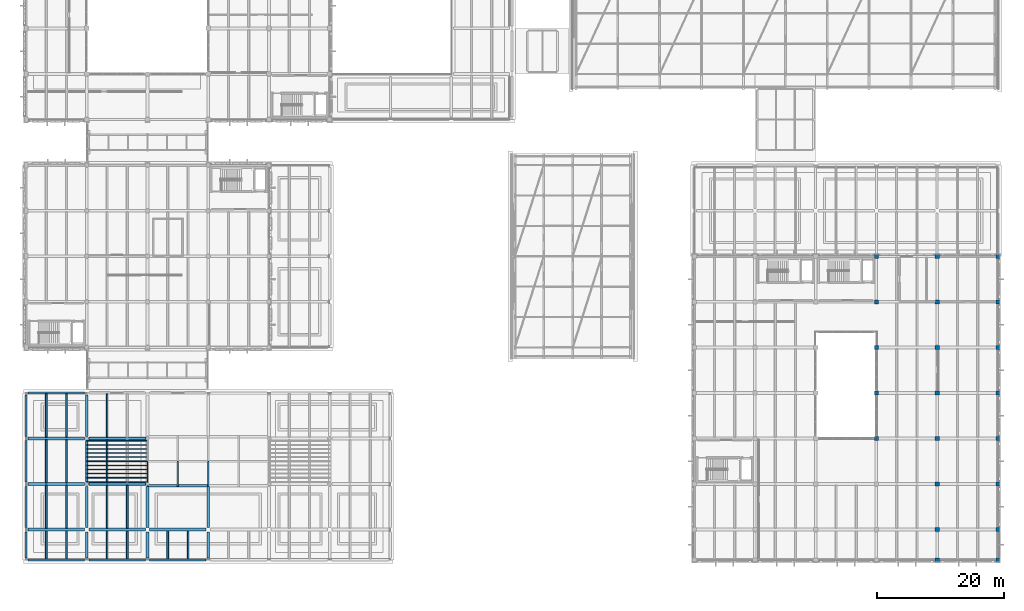
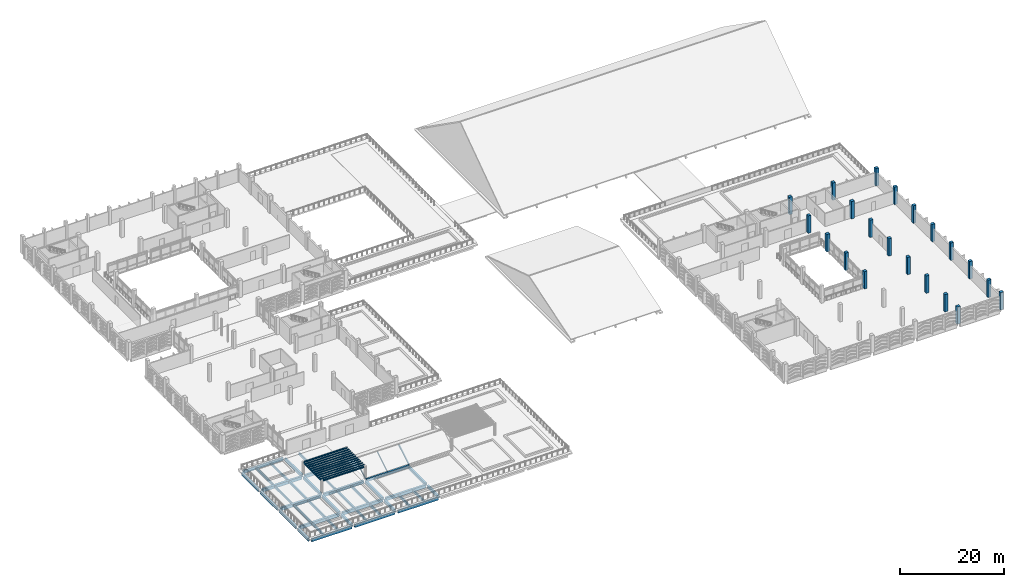
# One storey, part 5 of 134: 43 beams, 21 columns, 14 members.
"""IFC4 building model written with IfcOpenShell, lengths in metres."""

from ifc_helpers import new_model, si_unit, direction, frame, origin, origin_2d, place, context, subcontext, project, spatial, rectangle, i_section, extrude, material, material_profile, profile_set, type_object, element, save


model = new_model("IFC4")

# Units and contexts
model_context = context("Model", 3, precision=1e-05, world=origin(), true_north=direction((0.0, 1.0)))
body_context = subcontext(model_context, "Body", "Model", "MODEL_VIEW")
ifc_project = project(units=[si_unit("LENGTHUNIT", "METRE"), si_unit("AREAUNIT", "SQUARE_METRE"), si_unit("VOLUMEUNIT", "CUBIC_METRE"), si_unit("PLANEANGLEUNIT", "RADIAN"), si_unit("MASSUNIT", "GRAM", prefix="KILO")], contexts=[model_context])

# Site, building, storey
site_placement = place(None, origin())
site = spatial("IfcSite", under=ifc_project, at=site_placement, CompositionType="ELEMENT")
building_placement = place(site_placement, origin())
building = spatial("IfcBuilding", under=site, at=building_placement, Name="Asteropetra Specialist Clinic", CompositionType="ELEMENT")
storey_placement = place(building_placement, frame((0.0, 0.0, 8.5)))
storey = spatial("IfcBuildingStorey", under=building, at=storey_placement, Name="L02", CompositionType="ELEMENT", Elevation=8.5)

# Columns
ifc_material_1 = material(Name="Concrete C35/45", Category="concrete")
ifc_material_profile_1 = material_profile(ifc_material_1, rectangle(XDim=0.64990234375, YDim=0.64990234375, at=origin_2d()), Name="RC 650x650")
ifc_profile_set_1 = profile_set([ifc_material_profile_1], Name="Concrete C35/45")
column_type = type_object("IfcColumnType", Name="COL-RC650", PredefinedType="COLUMN", material=ifc_profile_set_1)
for number, where, z_axis, x_axis, name in (
    (1, (134.39990234375, 19.199951171875, 0.0), (0.0, 0.0, 1.0), (1.0, 0.0, 0.0), "Column CCOL04-0813"),
    (2, (134.39990234375, 26.39990234375, 0.0), (0.0, 0.0, 1.0), (1.0, 0.0, 0.0), "Column CCOL04-0818"),
    (3, (134.39990234375, 33.60009765625, 0.0), (0.0, 0.0, 1.0), (1.0, 0.0, 0.0), "Column CCOL04-0823"),
    (4, (134.39990234375, 40.800048828125, 0.0), (0.0, 0.0, 1.0), (1.0, 0.0, 0.0), "Column CCOL04-0828"),
    (5, (134.39990234375, 48.0, 0.0), (0.0, 0.0, 1.0), (1.0, 0.0, 0.0), "Column CCOL04-0833"),
    (6, (144.0, 0.0, 0.0), (0.0, 0.0, 1.0), (1.0, 0.0, 0.0), "Column CCOL04-0848"),
    (7, (144.0, 4.800048828125, 0.0), (0.0, 0.0, 1.0), (1.0, 0.0, 0.0), "Column CCOL04-0852"),
    (8, (144.0, 12.0, 0.0), (0.0, 0.0, 1.0), (1.0, 0.0, 0.0), "Column CCOL04-0856"),
    (9, (144.0, 19.199951171875, 0.0), (0.0, 0.0, 1.0), (1.0, 0.0, 0.0), "Column CCOL04-0860"),
    (10, (144.0, 26.39990234375, 0.0), (0.0, 0.0, 1.0), (1.0, 0.0, 0.0), "Column CCOL04-0864"),
    (11, (144.0, 33.60009765625, 0.0), (0.0, 0.0, 1.0), (1.0, 0.0, 0.0), "Column CCOL04-0868"),
    (12, (144.0, 40.800048828125, 0.0), (0.0, 0.0, 1.0), (1.0, 0.0, 0.0), "Column CCOL04-0872"),
    (13, (144.0, 48.0, 0.0), (0.0, 0.0, 1.0), (1.0, 0.0, 0.0), "Column CCOL04-0876"),
    (14, (153.60009765625, 0.0, 0.0), (0.0, 0.0, 1.0), (1.0, 0.0, 0.0), "Column CCOL04-0891"),
    (15, (153.60009765625, 4.800048828125, 0.0), (0.0, 0.0, 1.0), (1.0, 0.0, 0.0), "Column CCOL04-0895"),
    (16, (153.60009765625, 12.0, 0.0), (0.0, 0.0, 1.0), (1.0, 0.0, 0.0), "Column CCOL04-0899"),
    (17, (153.60009765625, 19.199951171875, 0.0), (0.0, 0.0, 1.0), (1.0, 0.0, 0.0), "Column CCOL04-0903"),
    (18, (153.60009765625, 26.39990234375, 0.0), (0.0, 0.0, 1.0), (1.0, 0.0, 0.0), "Column CCOL04-0907"),
    (19, (153.60009765625, 33.60009765625, 0.0), (0.0, 0.0, 1.0), (1.0, 0.0, 0.0), "Column CCOL04-0911"),
    (20, (153.60009765625, 40.800048828125, 0.0), (0.0, 0.0, 1.0), (1.0, 0.0, 0.0), "Column CCOL04-0915"),
    (21, (153.60009765625, 48.0, 0.0), (0.0, 0.0, 1.0), (1.0, 0.0, 0.0), "Column CCOL04-0919"),
):
    element("IfcColumn", number, at=place(storey_placement, frame(where, z_axis=z_axis, x_axis=x_axis)), inside=storey, type_object=column_type, Name=name, PredefinedType="COLUMN", context=body_context, shape_type="SweptSolid", body=[
        extrude(rectangle(XDim=0.64990234375, YDim=0.64990234375, at=origin_2d()), origin(), (0.0, 0.0, 1.0), 4.080078125),
    ])

# Beams
ifc_material_2 = material(Name="Concrete C35/45", Category="concrete")
ifc_material_profile_2 = material_profile(ifc_material_2, rectangle(XDim=0.39990234375, YDim=0.60009765625, at=origin_2d()), Name="RCB 400x600")
ifc_profile_set_2 = profile_set([ifc_material_profile_2], Name="Concrete C35/45")
beam_type_1 = type_object("IfcBeamType", Name="BM-RC400x600", PredefinedType="BEAM", material=ifc_profile_set_2)
beam_1_placement = place(storey_placement, frame((19.199951171875, 11.699951171875, -0.300048828125), z_axis=(1.0, 0.0, 0.0), x_axis=(0.0, 1.0, 0.0)))
element("IfcBeam", 22, at=beam_1_placement, inside=storey, type_object=beam_type_1, Name="Skylight Curb Beam SKB-1", PredefinedType="BEAM", context=body_context, shape_type="SweptSolid", body=[
    extrude(rectangle(XDim=0.39990234375, YDim=0.60009765625, at=origin_2d()), origin(), (0.0, 0.0, 1.0), 9.60009765625),
])
ifc_material_3 = material(Name="Concrete C35/45", Category="concrete")
ifc_material_profile_3 = material_profile(ifc_material_3, rectangle(XDim=0.39990234375, YDim=0.64990234375, at=origin_2d()), Name="RCB 400x650")
ifc_profile_set_3 = profile_set([ifc_material_profile_3], Name="Concrete C35/45")
beam_type_2 = type_object("IfcBeamType", Name="BM-RC400x650", PredefinedType="BEAM", material=ifc_profile_set_3)
for number, where, z_axis, x_axis, name in (
    (23, (9.60009765625, 0.35009765625, -0.635009765625), (0.0, 1.0, 0.0), (-1.0, 0.0, 0.0), "Beam BBM07-0875"),
    (24, (19.199951171875, 0.35009765625, -0.635009765625), (0.0, 1.0, 0.0), (-1.0, 0.0, 0.0), "Beam BBM07-0876"),
    (25, (28.800048828125, 0.35009765625, -0.635009765625), (0.0, 1.0, 0.0), (-1.0, 0.0, 0.0), "Beam BBM07-0877"),
):
    element("IfcBeam", number, at=place(storey_placement, frame(where, z_axis=z_axis, x_axis=x_axis)), inside=storey, type_object=beam_type_2, Name=name, PredefinedType="BEAM", context=body_context, shape_type="SweptSolid", body=[
        extrude(rectangle(XDim=0.39990234375, YDim=0.64990234375, at=origin_2d()), origin(), (0.0, 0.0, 1.0), 4.099853515625),
    ])
for number, where, z_axis, x_axis, name in (
    (26, (9.60009765625, 5.14990234375, -0.635009765625), (0.0, 1.0, 0.0), (-1.0, 0.0, 0.0), "Beam BBM07-0894"),
    (27, (19.199951171875, 5.14990234375, -0.635009765625), (0.0, 1.0, 0.0), (-1.0, 0.0, 0.0), "Beam BBM07-0895"),
    (28, (28.800048828125, 5.14990234375, -0.635009765625), (0.0, 1.0, 0.0), (-1.0, 0.0, 0.0), "Beam BBM07-0896"),
    (29, (9.60009765625, 12.35009765625, -0.635009765625), (0.0, 1.0, 0.0), (-1.0, 0.0, 0.0), "Beam BBM07-0909"),
    (30, (9.60009765625, 19.550048828125, -0.635009765625), (0.0, 1.0, 0.0), (-1.0, 0.0, 0.0), "Beam BBM07-0921"),
):
    element("IfcBeam", number, at=place(storey_placement, frame(where, z_axis=z_axis, x_axis=x_axis)), inside=storey, type_object=beam_type_2, Name=name, PredefinedType="BEAM", context=body_context, shape_type="SweptSolid", body=[
        extrude(rectangle(XDim=0.39990234375, YDim=0.64990234375, at=origin_2d()), origin(), (0.0, 0.0, 1.0), 6.5),
    ])
ifc_material_4 = material(Name="Concrete C35/45", Category="concrete")
ifc_material_profile_4 = material_profile(ifc_material_4, rectangle(XDim=0.449951171875, YDim=0.699951171875, at=origin_2d()), Name="RCB 450x700")
ifc_profile_set_4 = profile_set([ifc_material_profile_4], Name="Concrete C35/45")
beam_type_3 = type_object("IfcBeamType", Name="BM-RC450x700", PredefinedType="BEAM", material=ifc_profile_set_4)
beam_2_placement = place(storey_placement, frame((0.35009765625, 4.800048828125, -0.659912109375), z_axis=(1.0, 0.0, 0.0), x_axis=(0.0, 1.0, 0.0)))
element("IfcBeam", 31, at=beam_2_placement, inside=storey, type_object=beam_type_3, Name="Beam BBM05-0854", PredefinedType="BEAM", context=body_context, shape_type="SweptSolid", body=[
    extrude(rectangle(XDim=0.449951171875, YDim=0.699951171875, at=origin_2d()), origin(), (0.0, 0.0, 1.0), 8.89990234375),
])
beam_3_placement = place(storey_placement, frame((9.949951171875, 4.800048828125, -0.659912109375), z_axis=(1.0, 0.0, 0.0), x_axis=(0.0, 1.0, 0.0)))
element("IfcBeam", 32, at=beam_3_placement, inside=storey, type_object=beam_type_3, Name="Beam BBM05-0855", PredefinedType="BEAM", context=body_context, shape_type="SweptSolid", body=[
    extrude(rectangle(XDim=0.449951171875, YDim=0.699951171875, at=origin_2d()), origin(), (0.0, 0.0, 1.0), 8.900146484375),
])
for number, where, z_axis, x_axis, name in (
    (33, (19.550048828125, 4.800048828125, -0.659912109375), (1.0, 0.0, 0.0), (0.0, 1.0, 0.0), "Beam BBM05-0856"),
    (34, (0.35009765625, 12.0, -0.659912109375), (1.0, 0.0, 0.0), (0.0, 1.0, 0.0), "Beam BBM05-0860"),
):
    element("IfcBeam", number, at=place(storey_placement, frame(where, z_axis=z_axis, x_axis=x_axis)), inside=storey, type_object=beam_type_3, Name=name, PredefinedType="BEAM", context=body_context, shape_type="SweptSolid", body=[
        extrude(rectangle(XDim=0.449951171875, YDim=0.699951171875, at=origin_2d()), origin(), (0.0, 0.0, 1.0), 8.89990234375),
    ])
beam_4_placement = place(storey_placement, frame((9.949951171875, 12.0, -0.659912109375), z_axis=(1.0, 0.0, 0.0), x_axis=(0.0, 1.0, 0.0)))
element("IfcBeam", 35, at=beam_4_placement, inside=storey, type_object=beam_type_3, Name="Beam BBM05-0861", PredefinedType="BEAM", context=body_context, shape_type="SweptSolid", body=[
    extrude(rectangle(XDim=0.449951171875, YDim=0.699951171875, at=origin_2d()), origin(), (0.0, 0.0, 1.0), 8.900146484375),
])
beam_5_placement = place(storey_placement, frame((0.35009765625, 19.199951171875, -0.659912109375), z_axis=(1.0, 0.0, 0.0), x_axis=(0.0, 1.0, 0.0)))
element("IfcBeam", 36, at=beam_5_placement, inside=storey, type_object=beam_type_3, Name="Beam BBM05-0864", PredefinedType="BEAM", context=body_context, shape_type="SweptSolid", body=[
    extrude(rectangle(XDim=0.449951171875, YDim=0.699951171875, at=origin_2d()), origin(), (0.0, 0.0, 1.0), 8.89990234375),
])
beam_6_placement = place(storey_placement, frame((9.949951171875, 19.199951171875, -0.659912109375), z_axis=(1.0, 0.0, 0.0), x_axis=(0.0, 1.0, 0.0)))
element("IfcBeam", 37, at=beam_6_placement, inside=storey, type_object=beam_type_3, Name="Beam BBM05-0865", PredefinedType="BEAM", context=body_context, shape_type="SweptSolid", body=[
    extrude(rectangle(XDim=0.449951171875, YDim=0.699951171875, at=origin_2d()), origin(), (0.0, 0.0, 1.0), 8.900146484375),
])
ifc_material_5 = material(Name="Steel S355", Category="steel")
ifc_material_profile_5 = material_profile(ifc_material_5, i_section(OverallWidth=0.280029296875, OverallDepth=0.27001953125, WebThickness=0.008056640625, FlangeThickness=0.012939453125, FilletRadius=0.02392578125, at=origin_2d()), Name="HEA 280")
ifc_profile_set_5 = profile_set([ifc_material_profile_5], Name="Steel S355")
beam_type_4 = type_object("IfcBeamType", Name="BM-STL-HEA280", PredefinedType="BEAM", material=ifc_profile_set_5)
beam_7_placement = place(storey_placement, frame((9.60009765625, 12.25, 2.760009765625), z_axis=(0.0, 1.0, 0.0), x_axis=(-1.0, 0.0, 0.0)))
element("IfcBeam", 38, at=beam_7_placement, inside=storey, type_object=beam_type_4, Name="Terrace Pergola Beam PGB-1", PredefinedType="BEAM", context=body_context, shape_type="SweptSolid", body=[
    extrude(i_section(OverallWidth=0.280029296875, OverallDepth=0.27001953125, WebThickness=0.008056640625, FlangeThickness=0.012939453125, FilletRadius=0.02392578125, at=origin_2d()), origin(), (0.0, 0.0, 1.0), 6.699951171875),
])
for number, where, z_axis, x_axis, name in (
    (39, (9.85009765625, 12.0, 2.760009765625), (1.0, 0.0, 0.0), (0.0, 1.0, 0.0), "Terrace Pergola Tie Girder PGX-1"),
    (40, (9.85009765625, 19.199951171875, 2.760009765625), (1.0, 0.0, 0.0), (0.0, 1.0, 0.0), "Terrace Pergola Tie Girder PGX-2"),
):
    element("IfcBeam", number, at=place(storey_placement, frame(where, z_axis=z_axis, x_axis=x_axis)), inside=storey, type_object=beam_type_4, Name=name, PredefinedType="BEAM", context=body_context, shape_type="SweptSolid", body=[
        extrude(i_section(OverallWidth=0.280029296875, OverallDepth=0.27001953125, WebThickness=0.008056640625, FlangeThickness=0.012939453125, FilletRadius=0.02392578125, at=origin_2d()), origin(), (0.0, 0.0, 1.0), 9.099853515625),
    ])
ifc_material_6 = material(Name="Concrete C35/45", Category="concrete")
ifc_material_profile_6 = material_profile(ifc_material_6, rectangle(XDim=0.280029296875, YDim=0.52001953125, at=origin_2d()), Name="RCJ 280x520")
ifc_profile_set_6 = profile_set([ifc_material_profile_6], Name="Concrete C35/45")
beam_type_5 = type_object("IfcBeamType", Name="JST-RC280x520", PredefinedType="JOIST", material=ifc_profile_set_6)
for number, where, z_axis, x_axis, name in (
    (41, (3.199951171875, 0.159912109375, -0.570068359375), (0.0, 1.0, 0.0), (-1.0, 0.0, 0.0), "Joist JJST01-0881"),
    (42, (6.39990234375, 0.159912109375, -0.570068359375), (0.0, 1.0, 0.0), (-1.0, 0.0, 0.0), "Joist JJST01-0882"),
    (43, (12.800048828125, 0.159912109375, -0.570068359375), (0.0, 1.0, 0.0), (-1.0, 0.0, 0.0), "Joist JJST01-0883"),
    (44, (16.0, 0.159912109375, -0.570068359375), (0.0, 1.0, 0.0), (-1.0, 0.0, 0.0), "Joist JJST01-0884"),
    (45, (22.39990234375, 0.159912109375, -0.570068359375), (0.0, 1.0, 0.0), (-1.0, 0.0, 0.0), "Joist JJST01-0885"),
    (46, (25.60009765625, 0.159912109375, -0.570068359375), (0.0, 1.0, 0.0), (-1.0, 0.0, 0.0), "Joist JJST01-0886"),
):
    element("IfcBeam", number, at=place(storey_placement, frame(where, z_axis=z_axis, x_axis=x_axis)), inside=storey, type_object=beam_type_5, Name=name, PredefinedType="JOIST", context=body_context, shape_type="SweptSolid", body=[
        extrude(rectangle(XDim=0.280029296875, YDim=0.52001953125, at=origin_2d()), origin(), (0.0, 0.0, 1.0), 4.4150390625),
    ])
for number, where, z_axis, x_axis, name in (
    (47, (3.199951171875, 5.02490234375, -0.570068359375), (0.0, 1.0, 0.0), (-1.0, 0.0, 0.0), "Joist JJST01-0900"),
    (48, (6.39990234375, 5.02490234375, -0.570068359375), (0.0, 1.0, 0.0), (-1.0, 0.0, 0.0), "Joist JJST01-0901"),
    (49, (12.800048828125, 5.02490234375, -0.570068359375), (0.0, 1.0, 0.0), (-1.0, 0.0, 0.0), "Joist JJST01-0902"),
    (50, (16.0, 5.02490234375, -0.570068359375), (0.0, 1.0, 0.0), (-1.0, 0.0, 0.0), "Joist JJST01-0903"),
    (51, (3.199951171875, 12.22509765625, -0.570068359375), (0.0, 1.0, 0.0), (-1.0, 0.0, 0.0), "Joist JJST01-0912"),
    (52, (6.39990234375, 12.22509765625, -0.570068359375), (0.0, 1.0, 0.0), (-1.0, 0.0, 0.0), "Joist JJST01-0913"),
    (53, (12.800048828125, 12.22509765625, -0.570068359375), (0.0, 1.0, 0.0), (-1.0, 0.0, 0.0), "Joist JJST01-0914"),
):
    element("IfcBeam", number, at=place(storey_placement, frame(where, z_axis=z_axis, x_axis=x_axis)), inside=storey, type_object=beam_type_5, Name=name, PredefinedType="JOIST", context=body_context, shape_type="SweptSolid", body=[
        extrude(rectangle(XDim=0.280029296875, YDim=0.52001953125, at=origin_2d()), origin(), (0.0, 0.0, 1.0), 6.75),
    ])
for number, where, z_axis, x_axis, name in (
    (54, (3.199951171875, 19.425048828125, -0.570068359375), (0.0, 1.0, 0.0), (-1.0, 0.0, 0.0), "Joist JJST01-0927"),
    (55, (6.39990234375, 19.425048828125, -0.570068359375), (0.0, 1.0, 0.0), (-1.0, 0.0, 0.0), "Joist JJST01-0928"),
    (56, (12.800048828125, 19.425048828125, -0.570068359375), (0.0, 1.0, 0.0), (-1.0, 0.0, 0.0), "Joist JJST01-0929"),
):
    element("IfcBeam", number, at=place(storey_placement, frame(where, z_axis=z_axis, x_axis=x_axis)), inside=storey, type_object=beam_type_5, Name=name, PredefinedType="JOIST", context=body_context, shape_type="SweptSolid", body=[
        extrude(rectangle(XDim=0.280029296875, YDim=0.52001953125, at=origin_2d()), origin(), (0.0, 0.0, 1.0), 6.81494140625),
    ])
ifc_material_7 = material(Name="Concrete C35/45", Category="concrete")
ifc_material_profile_7 = material_profile(ifc_material_7, rectangle(XDim=0.320068359375, YDim=0.699951171875, at=origin_2d()), Name="RCS 320x700")
ifc_profile_set_7 = profile_set([ifc_material_profile_7], Name="Concrete C35/45")
beam_type_6 = type_object("IfcBeamType", Name="SPN-RC320x700", PredefinedType="SPANDREL", material=ifc_profile_set_7)
beam_8_placement = place(storey_placement, frame((0.35009765625, 0.0, -0.659912109375), z_axis=(1.0, 0.0, 0.0), x_axis=(0.0, 1.0, 0.0)))
element("IfcBeam", 57, at=beam_8_placement, inside=storey, type_object=beam_type_6, Name="Beam BSPN02-0848", PredefinedType="SPANDREL", context=body_context, shape_type="SweptSolid", body=[
    extrude(rectangle(XDim=0.320068359375, YDim=0.699951171875, at=origin_2d()), origin(), (0.0, 0.0, 1.0), 8.89990234375),
])
beam_9_placement = place(storey_placement, frame((9.949951171875, 0.0, -0.659912109375), z_axis=(1.0, 0.0, 0.0), x_axis=(0.0, 1.0, 0.0)))
element("IfcBeam", 58, at=beam_9_placement, inside=storey, type_object=beam_type_6, Name="Beam BSPN02-0849", PredefinedType="SPANDREL", context=body_context, shape_type="SweptSolid", body=[
    extrude(rectangle(XDim=0.320068359375, YDim=0.699951171875, at=origin_2d()), origin(), (0.0, 0.0, 1.0), 8.900146484375),
])
for number, where, z_axis, x_axis, name in (
    (59, (19.550048828125, 0.0, -0.659912109375), (1.0, 0.0, 0.0), (0.0, 1.0, 0.0), "Beam BSPN02-0850"),
    (60, (0.35009765625, 26.39990234375, -0.659912109375), (1.0, 0.0, 0.0), (0.0, 1.0, 0.0), "Beam BSPN02-0868"),
):
    element("IfcBeam", number, at=place(storey_placement, frame(where, z_axis=z_axis, x_axis=x_axis)), inside=storey, type_object=beam_type_6, Name=name, PredefinedType="SPANDREL", context=body_context, shape_type="SweptSolid", body=[
        extrude(rectangle(XDim=0.320068359375, YDim=0.699951171875, at=origin_2d()), origin(), (0.0, 0.0, 1.0), 8.89990234375),
    ])
beam_10_placement = place(storey_placement, frame((0.0, 0.35009765625, -0.659912109375), z_axis=(0.0, 1.0, 0.0), x_axis=(-1.0, 0.0, 0.0)))
element("IfcBeam", 61, at=beam_10_placement, inside=storey, type_object=beam_type_6, Name="Beam BSPN02-0874", PredefinedType="SPANDREL", context=body_context, shape_type="SweptSolid", body=[
    extrude(rectangle(XDim=0.320068359375, YDim=0.699951171875, at=origin_2d()), origin(), (0.0, 0.0, 1.0), 4.099853515625),
])
for number, where, z_axis, x_axis, name in (
    (62, (0.0, 5.14990234375, -0.659912109375), (0.0, 1.0, 0.0), (-1.0, 0.0, 0.0), "Beam BSPN02-0893"),
    (63, (0.0, 12.35009765625, -0.659912109375), (0.0, 1.0, 0.0), (-1.0, 0.0, 0.0), "Beam BSPN02-0908"),
    (64, (0.0, 19.550048828125, -0.659912109375), (0.0, 1.0, 0.0), (-1.0, 0.0, 0.0), "Beam BSPN02-0920"),
):
    element("IfcBeam", number, at=place(storey_placement, frame(where, z_axis=z_axis, x_axis=x_axis)), inside=storey, type_object=beam_type_6, Name=name, PredefinedType="SPANDREL", context=body_context, shape_type="SweptSolid", body=[
        extrude(rectangle(XDim=0.320068359375, YDim=0.699951171875, at=origin_2d()), origin(), (0.0, 0.0, 1.0), 6.5),
    ])

# Members
ifc_material_8 = material(Name="Steel S355", Category="steel")
ifc_material_profile_8 = material_profile(ifc_material_8, i_section(OverallWidth=0.10009765625, OverallDepth=0.199951171875, WebThickness=0.005615234375, FlangeThickness=0.008544921875, FilletRadius=0.011962890625, at=origin_2d()), Name="IPE 200")
ifc_profile_set_8 = profile_set([ifc_material_profile_8], Name="Steel S355")
member_type_1 = type_object("IfcMemberType", Name="TR-PUR-IPE200", PredefinedType="PURLIN", material=ifc_profile_set_8)
for number, where, z_axis, x_axis, name in (
    (65, (9.60009765625, 12.35009765625, 2.989990234375), (1.0, 0.0, 0.0), (0.0, 1.0, 0.0), "Terrace Pergola Shade Trellis PGR-01"),
    (66, (9.60009765625, 13.0, 2.989990234375), (1.0, 0.0, 0.0), (0.0, 1.0, 0.0), "Terrace Pergola Shade Trellis PGR-02"),
    (67, (9.60009765625, 13.64990234375, 2.989990234375), (1.0, 0.0, 0.0), (0.0, 1.0, 0.0), "Terrace Pergola Shade Trellis PGR-03"),
    (68, (9.60009765625, 14.300048828125, 2.989990234375), (1.0, 0.0, 0.0), (0.0, 1.0, 0.0), "Terrace Pergola Shade Trellis PGR-04"),
    (69, (9.60009765625, 14.949951171875, 2.989990234375), (1.0, 0.0, 0.0), (0.0, 1.0, 0.0), "Terrace Pergola Shade Trellis PGR-05"),
    (70, (9.60009765625, 15.60009765625, 2.989990234375), (1.0, 0.0, 0.0), (0.0, 1.0, 0.0), "Terrace Pergola Shade Trellis PGR-06"),
    (71, (9.60009765625, 16.25, 2.989990234375), (1.0, 0.0, 0.0), (0.0, 1.0, 0.0), "Terrace Pergola Shade Trellis PGR-07"),
    (72, (9.60009765625, 16.89990234375, 2.989990234375), (1.0, 0.0, 0.0), (0.0, 1.0, 0.0), "Terrace Pergola Shade Trellis PGR-08"),
    (73, (9.60009765625, 17.550048828125, 2.989990234375), (1.0, 0.0, 0.0), (0.0, 1.0, 0.0), "Terrace Pergola Shade Trellis PGR-09"),
    (74, (9.60009765625, 18.199951171875, 2.989990234375), (1.0, 0.0, 0.0), (0.0, 1.0, 0.0), "Terrace Pergola Shade Trellis PGR-10"),
    (75, (9.60009765625, 18.85009765625, 2.989990234375), (1.0, 0.0, 0.0), (0.0, 1.0, 0.0), "Terrace Pergola Shade Trellis PGR-11"),
):
    element("IfcMember", number, at=place(storey_placement, frame(where, z_axis=z_axis, x_axis=x_axis)), inside=storey, type_object=member_type_1, Name=name, PredefinedType="PURLIN", context=body_context, shape_type="SweptSolid", body=[
        extrude(i_section(OverallWidth=0.10009765625, OverallDepth=0.199951171875, WebThickness=0.005615234375, FlangeThickness=0.008544921875, FilletRadius=0.011962890625, at=origin_2d()), origin(), (0.0, 0.0, 1.0), 9.599853515625),
    ])
ifc_material_9 = material(Name="Steel S355", Category="steel")
ifc_material_profile_9 = material_profile(ifc_material_9, i_section(OverallWidth=0.199951171875, OverallDepth=0.18994140625, WebThickness=0.006591796875, FlangeThickness=0.010009765625, FilletRadius=0.01806640625, at=origin_2d()), Name="HEA 200")
ifc_profile_set_9 = profile_set([ifc_material_profile_9], Name="Steel S355")
member_type_2 = type_object("IfcMemberType", Name="TR-RAF-HEA200", PredefinedType="RAFTER", material=ifc_profile_set_9)
member_1_placement = place(storey_placement, frame((24.0, 11.699951171875, -0.0400390625), z_axis=(0.0, 0.852628099102, 0.522518252908), x_axis=(-1.0, 0.0, 0.0)))
element("IfcMember", 76, at=member_1_placement, inside=storey, type_object=member_type_2, Name="Atrium Rafter South SKR-S2", PredefinedType="RAFTER", context=body_context, shape_type="SweptSolid", body=[
    extrude(i_section(OverallWidth=0.199951171875, OverallDepth=0.18994140625, WebThickness=0.006591796875, FlangeThickness=0.010009765625, FilletRadius=0.01806640625, at=origin_2d()), origin(), (0.0, 0.0, 1.0), 4.57421875),
])
ifc_material_10 = material(Name="Steel S355", Category="steel")
ifc_material_profile_10 = material_profile(ifc_material_10, i_section(OverallWidth=0.219970703125, OverallDepth=0.2099609375, WebThickness=0.007080078125, FlangeThickness=0.010986328125, FilletRadius=0.01806640625, at=origin_2d()), Name="HEA 220")
ifc_profile_set_10 = profile_set([ifc_material_profile_10], Name="Steel S355")
member_type_3 = type_object("IfcMemberType", Name="TR-RAF-HEA220", PredefinedType="RAFTER", material=ifc_profile_set_10)
member_2_placement = place(storey_placement, frame((19.199951171875, 11.699951171875, -0.0400390625), z_axis=(0.0, 0.852628099102, 0.522518252908), x_axis=(-1.0, 0.0, 0.0)))
element("IfcMember", 77, at=member_2_placement, inside=storey, type_object=member_type_3, Name="Atrium Rafter South SKR-S1", PredefinedType="RAFTER", context=body_context, shape_type="SweptSolid", body=[
    extrude(i_section(OverallWidth=0.219970703125, OverallDepth=0.2099609375, WebThickness=0.007080078125, FlangeThickness=0.010986328125, FilletRadius=0.01806640625, at=origin_2d()), origin(), (0.0, 0.0, 1.0), 4.57421875),
])
ifc_material_11 = material(Name="Steel S355", Category="steel")
ifc_material_profile_11 = material_profile(ifc_material_11, i_section(OverallWidth=0.260009765625, OverallDepth=0.25, WebThickness=0.007568359375, FlangeThickness=0.012451171875, FilletRadius=0.02392578125, at=origin_2d()), Name="HEA 260")
ifc_profile_set_11 = profile_set([ifc_material_profile_11], Name="Steel S355")
member_type_4 = type_object("IfcMemberType", Name="TR-RAF-HEA260", PredefinedType="RAFTER", material=ifc_profile_set_11)
member_3_placement = place(storey_placement, frame((28.800048828125, 11.699951171875, -0.0400390625), z_axis=(0.0, 0.852628099102, 0.522518252908), x_axis=(-1.0, 0.0, 0.0)))
element("IfcMember", 78, at=member_3_placement, inside=storey, type_object=member_type_4, Name="Atrium Rafter South SKR-S3", PredefinedType="RAFTER", context=body_context, shape_type="SweptSolid", body=[
    extrude(i_section(OverallWidth=0.260009765625, OverallDepth=0.25, WebThickness=0.007568359375, FlangeThickness=0.012451171875, FilletRadius=0.02392578125, at=origin_2d()), origin(), (0.0, 0.0, 1.0), 4.57421875),
])

save(model, "model.ifc")
